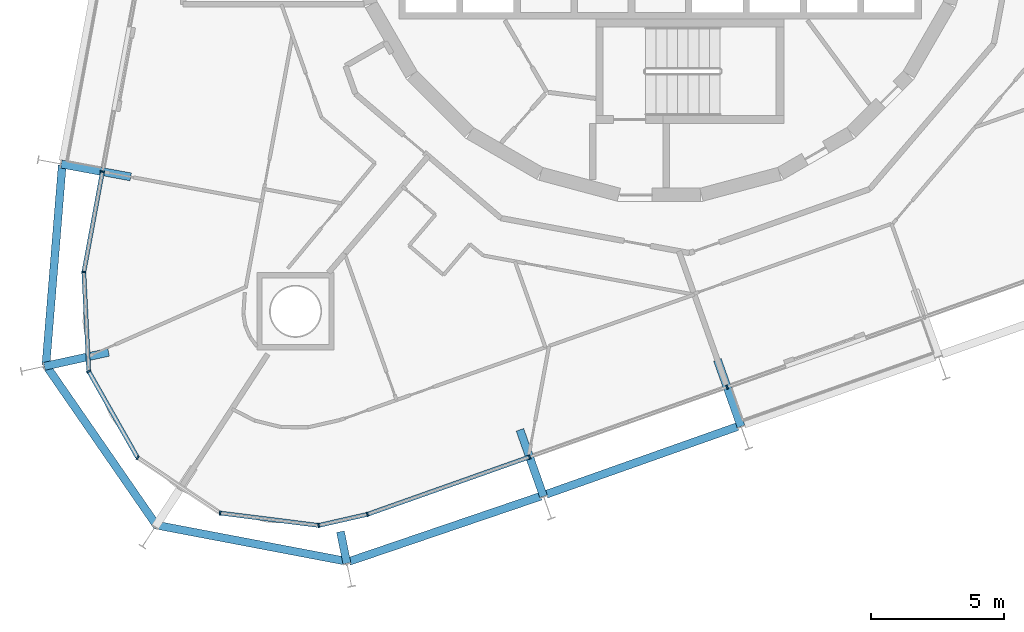
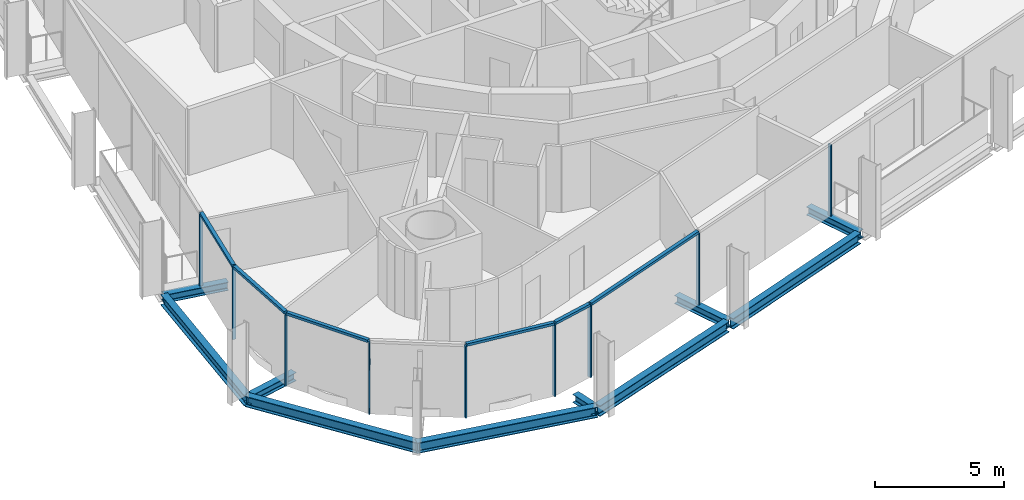
# One storey, part 2 of 17: 15 members, 10 beams, 2 elements without a shape of their own.
"""IFC4 building model written with IfcOpenShell, lengths in metres."""

from ifc_helpers import new_model, si_unit, direction, frame, origin, origin_2d, place, context, subcontext, project, spatial, rectangle, i_section, extrude, material, layer, layer_set, material_profile, profile_set, type_object, element, aggregate, save


model = new_model("IFC4")

# Units and contexts
model_context = context("Model", 3, precision=1e-05, world=origin(), true_north=direction((0.0, 1.0)))
body_context = subcontext(model_context, "Body", "Model", "MODEL_VIEW")
ifc_project = project(units=[si_unit("LENGTHUNIT", "METRE"), si_unit("AREAUNIT", "SQUARE_METRE"), si_unit("VOLUMEUNIT", "CUBIC_METRE"), si_unit("PLANEANGLEUNIT", "RADIAN"), si_unit("MASSUNIT", "GRAM", prefix="KILO")], contexts=[model_context])

# Site, building, storey
site_placement = place(None, origin())
site = spatial("IfcSite", under=ifc_project, at=site_placement, CompositionType="ELEMENT")
building_placement = place(site_placement, origin())
building = spatial("IfcBuilding", under=site, at=building_placement, Name="Spindle Arch Residences", CompositionType="ELEMENT")
storey_placement = place(building_placement, frame((0.0, 0.0, 155.199951171875)))
storey = spatial("IfcBuildingStorey", under=building, at=storey_placement, Name="L38", CompositionType="ELEMENT", Elevation=155.199951171875)

# Curtain wall, members
ifc_material_1 = material(Name="Aluminium bronze unitised frame with tinted glass", Category="aluminium")
ifc_layer_1 = layer(ifc_material_1, 0.159912109375)
ifc_layer_set_1 = layer_set([ifc_layer_1], Name="CW-D corner wall on the fillet arcs")
curtain_wall_type_1 = type_object("IfcCurtainWallType", Name="CW-D corner wall on the fillet arcs", PredefinedType="NOTDEFINED", material=ifc_layer_set_1)
curtain_wall_1_placement = place(storey_placement, origin())
curtain_wall_1 = element("IfcCurtainWall", 1, at=curtain_wall_1_placement, inside=storey, type_object=curtain_wall_type_1, Name="CW-D L38 run 5", PredefinedType="NOTDEFINED")
ifc_material_2 = material(Name="Aluminium bronze anodised mullion", Category="aluminium")
ifc_material_profile_1 = material_profile(ifc_material_2, rectangle(XDim=0.159912109375, YDim=0.06005859375, at=origin_2d()), Name="MU 60x160")
ifc_profile_set_1 = profile_set([ifc_material_profile_1], Name="Aluminium bronze anodised mullion")
member_type_1 = type_object("IfcMemberType", Name="Bronze mullion 60x160", PredefinedType="MULLION", material=ifc_profile_set_1)
member_1_placement = place(storey_placement, frame((-20.92724609375, -10.77685546875, -0.3798828125), z_axis=(0.0, 0.0, 1.0), x_axis=(0.983254907564, -0.182235525492, 0.0)))
member_1 = element("IfcMember", 2, at=member_1_placement, type_object=member_type_1, Name="CW-D mullion 00", PredefinedType="MULLION", context=body_context, shape_type="SweptSolid", body=[
    extrude(rectangle(XDim=0.159912109375, YDim=0.06005859375, at=origin_2d()), origin(), (0.0, 0.0, 1.0), 3.3798828125),
])
member_2_placement = place(storey_placement, frame((-21.6259765625, -14.546142578125, -0.3798828125), z_axis=(0.0, 0.0, 1.0), x_axis=(0.99877754864, 0.049430843939, 0.0)))
member_2 = element("IfcMember", 3, at=member_2_placement, type_object=member_type_1, Name="CW-D mullion 01", PredefinedType="MULLION", context=body_context, shape_type="SweptSolid", body=[
    extrude(rectangle(XDim=0.159912109375, YDim=0.06005859375, at=origin_2d()), origin(), (0.0, 0.0, 1.0), 3.3798828125),
])
member_3_placement = place(storey_placement, frame((-21.441650390625, -18.268310546875, -0.3798828125), z_axis=(0.0, 0.0, 1.0), x_axis=(0.870355694762, 0.492423562185, 0.0)))
member_3 = element("IfcMember", 4, at=member_3_placement, type_object=member_type_1, Name="CW-D mullion 02", PredefinedType="MULLION", context=body_context, shape_type="SweptSolid", body=[
    extrude(rectangle(XDim=0.159912109375, YDim=0.06005859375, at=origin_2d()), origin(), (0.0, 0.0, 1.0), 3.3798828125),
])
member_4_placement = place(storey_placement, frame((-19.6064453125, -21.511962890625, -0.3798828125), z_axis=(0.0, 0.0, 1.0), x_axis=(0.556778968928, 0.830660688705, 0.0)))
member_4 = element("IfcMember", 5, at=member_4_placement, type_object=member_type_1, Name="CW-D mullion 03", PredefinedType="MULLION", context=body_context, shape_type="SweptSolid", body=[
    extrude(rectangle(XDim=0.159912109375, YDim=0.06005859375, at=origin_2d()), origin(), (0.0, 0.0, 1.0), 3.3798828125),
])
member_5_placement = place(storey_placement, frame((-16.510986328125, -23.5869140625, -0.3798828125), z_axis=(0.0, 0.0, 1.0), x_axis=(0.12475602349, 0.992187449327, 0.0)))
member_5 = element("IfcMember", 6, at=member_5_placement, type_object=member_type_1, Name="CW-D mullion 04", PredefinedType="MULLION", context=body_context, shape_type="SweptSolid", body=[
    extrude(rectangle(XDim=0.159912109375, YDim=0.06005859375, at=origin_2d()), origin(), (0.0, 0.0, 1.0), 3.3798828125),
])
member_6_placement = place(storey_placement, frame((-12.813232421875, -24.0517578125, -0.3798828125), z_axis=(0.0, 0.0, 1.0), x_axis=(-0.222115779565, 0.975020297465, 0.0)))
member_6 = element("IfcMember", 7, at=member_6_placement, type_object=member_type_1, Name="CW-D mullion 05", PredefinedType="MULLION", context=body_context, shape_type="SweptSolid", body=[
    extrude(rectangle(XDim=0.159912109375, YDim=0.06005859375, at=origin_2d()), origin(), (0.0, 0.0, 1.0), 3.3798828125),
])
member_7_placement = place(storey_placement, frame((-10.984130859375, -23.63525390625, -0.3798828125), z_axis=(0.0, 0.0, 1.0), x_axis=(-0.333806859234, 0.942641491092, 0.0)))
member_7 = element("IfcMember", 8, at=member_7_placement, type_object=member_type_1, Name="CW-D mullion 06", PredefinedType="MULLION", context=body_context, shape_type="SweptSolid", body=[
    extrude(rectangle(XDim=0.159912109375, YDim=0.06005859375, at=origin_2d()), origin(), (0.0, 0.0, 1.0), 3.3798828125),
])

ifc_material_3 = material(Name="Aluminium bronze unitised frame with tinted glass", Category="aluminium")
ifc_layer_2 = layer(ifc_material_3, 0.159912109375)
ifc_layer_set_2 = layer_set([ifc_layer_2], Name="CW-C typical residential unitised wall")
curtain_wall_type_2 = type_object("IfcCurtainWallType", Name="CW-C typical residential unitised wall", PredefinedType="NOTDEFINED", material=ifc_layer_set_2)
curtain_wall_2_placement = place(storey_placement, origin())
curtain_wall_2 = element("IfcCurtainWall", 9, at=curtain_wall_2_placement, inside=storey, type_object=curtain_wall_type_2, Name="CW-C L38 run 6", PredefinedType="NOTDEFINED")
member_8_placement = place(storey_placement, frame((-4.900634765625, -21.48095703125, -0.3798828125), z_axis=(0.0, 0.0, 1.0), x_axis=(-0.333806859234, 0.942641491092, 0.0)))
member_8 = element("IfcMember", 10, at=member_8_placement, type_object=member_type_1, Name="CW-C mullion 20", PredefinedType="MULLION", context=body_context, shape_type="SweptSolid", body=[
    extrude(rectangle(XDim=0.159912109375, YDim=0.06005859375, at=origin_2d()), origin(), (0.0, 0.0, 1.0), 3.3798828125),
])
member_9_placement = place(storey_placement, frame((2.508544921875, -18.857177734375, -0.3798828125), z_axis=(0.0, 0.0, 1.0), x_axis=(-0.333806859234, 0.942641491092, 0.0)))
member_9 = element("IfcMember", 11, at=member_9_placement, type_object=member_type_1, Name="CW-C mullion 21", PredefinedType="MULLION", context=body_context, shape_type="SweptSolid", body=[
    extrude(rectangle(XDim=0.159912109375, YDim=0.06005859375, at=origin_2d()), origin(), (0.0, 0.0, 1.0), 3.3798828125),
])
aggregate(curtain_wall_2, [member_8, member_9])

# Member
ifc_material_4 = material(Name="Aluminium bronze anodised transom", Category="aluminium")
ifc_material_profile_2 = material_profile(ifc_material_4, rectangle(XDim=0.159912109375, YDim=0.1201171875, at=origin_2d()), Name="TR 120x160")
ifc_profile_set_2 = profile_set([ifc_material_profile_2], Name="Aluminium bronze anodised transom")
member_type_2 = type_object("IfcMemberType", Name="Bronze transom 120x160", PredefinedType="USERDEFINED", material=ifc_profile_set_2)
member_10_placement = place(storey_placement, frame((-20.932861328125, -10.806396484375, 3.06005859375), z_axis=(-0.182198152475, -0.983261833509, 0.0), x_axis=(0.983261833509, -0.182198152475, 0.0)))
member_10 = element("IfcMember", 12, at=member_10_placement, type_object=member_type_2, Name="CW-D transom 00", ObjectType="TRANSOM", PredefinedType="USERDEFINED", context=body_context, shape_type="SweptSolid", body=[
    extrude(rectangle(XDim=0.159912109375, YDim=0.1201171875, at=origin_2d()), origin(), (0.0, 0.0, 1.0), 3.7734375),
])

member_11_placement = place(storey_placement, frame((-21.62451171875, -14.576171875, 3.06005859375), z_axis=(0.049472678643, -0.998775477306, 0.0), x_axis=(0.998775477306, 0.049472678643, 0.0)))
member_11 = element("IfcMember", 13, at=member_11_placement, type_object=member_type_2, Name="CW-D transom 01", ObjectType="TRANSOM", PredefinedType="USERDEFINED", context=body_context, shape_type="SweptSolid", body=[
    extrude(rectangle(XDim=0.159912109375, YDim=0.1201171875, at=origin_2d()), origin(), (0.0, 0.0, 1.0), 3.66650390625),
])

member_12_placement = place(storey_placement, frame((-21.427001953125, -18.29443359375, 3.06005859375), z_axis=(0.49243456751, -0.870349468157, 0.0), x_axis=(0.870349468157, 0.49243456751, 0.0)))
member_12 = element("IfcMember", 14, at=member_12_placement, type_object=member_type_2, Name="CW-D transom 02", ObjectType="TRANSOM", PredefinedType="USERDEFINED", context=body_context, shape_type="SweptSolid", body=[
    extrude(rectangle(XDim=0.159912109375, YDim=0.1201171875, at=origin_2d()), origin(), (0.0, 0.0, 1.0), 3.666748046875),
])

member_13_placement = place(storey_placement, frame((-16.481201171875, -23.590576171875, 3.06005859375), z_axis=(0.992185413992, -0.12477220949, 0.0), x_axis=(0.12477220949, 0.992185413992, 0.0)))
member_13 = element("IfcMember", 15, at=member_13_placement, type_object=member_type_2, Name="CW-D transom 04", ObjectType="TRANSOM", PredefinedType="USERDEFINED", context=body_context, shape_type="SweptSolid", body=[
    extrude(rectangle(XDim=0.159912109375, YDim=0.1201171875, at=origin_2d()), origin(), (0.0, 0.0, 1.0), 3.666748046875),
])

member_14_placement = place(storey_placement, frame((-12.783935546875, -24.045166015625, 3.06005859375), z_axis=(0.975028425033, 0.222080099015, 0.0), x_axis=(-0.222080099015, 0.975028425033, 0.0)))
member_14 = element("IfcMember", 16, at=member_14_placement, type_object=member_type_2, Name="CW-D transom 05", ObjectType="TRANSOM", PredefinedType="USERDEFINED", context=body_context, shape_type="SweptSolid", body=[
    extrude(rectangle(XDim=0.159912109375, YDim=0.1201171875, at=origin_2d()), origin(), (0.0, 0.0, 1.0), 1.816162109375),
])

member_15_placement = place(storey_placement, frame((-10.955810546875, -23.625244140625, 3.06005859375), z_axis=(0.942638740525, 0.333814626495, 0.0), x_axis=(-0.333814626495, 0.942638740525, 0.0)))
member_15 = element("IfcMember", 17, at=member_15_placement, type_object=member_type_2, Name="CW-D transom 06", ObjectType="TRANSOM", PredefinedType="USERDEFINED", context=body_context, shape_type="SweptSolid", body=[
    extrude(rectangle(XDim=0.159912109375, YDim=0.1201171875, at=origin_2d()), origin(), (0.0, 0.0, 1.0), 6.3935546875),
])

aggregate(curtain_wall_1, [member_1, member_10, member_2, member_11, member_3, member_12, member_4, member_5, member_13, member_6, member_14, member_7, member_15])

# Beams
ifc_material_5 = material(Name="Steel S460ML, intumescent coating R 120", Category="steel")
ifc_material_profile_3 = material_profile(ifc_material_5, i_section(OverallWidth=0.300048828125, OverallDepth=0.5, WebThickness=0.014404296875, FlangeThickness=0.028076171875, FilletRadius=0.027099609375, at=origin_2d()), Name="HEB 500")
ifc_profile_set_3 = profile_set([ifc_material_profile_3], Name="Steel S460ML, intumescent coating R 120")
beam_type_1 = type_object("IfcBeamType", Name="Exoskeleton edge beam HEB 500", PredefinedType="BEAM", material=ifc_profile_set_3)
beam_1_placement = place(storey_placement, frame((-22.43408203125, -10.530517578125, -0.6298828125), z_axis=(-0.081396168561, -0.996681826735, 0.0), x_axis=(0.996681826735, -0.081396168561, 0.0)))
element("IfcBeam", 18, at=beam_1_placement, inside=storey, type_object=beam_type_1, Name="Exoskeleton edge beam 17", PredefinedType="BEAM", context=body_context, shape_type="SweptSolid", body=[
    extrude(i_section(OverallWidth=0.300048828125, OverallDepth=0.5, WebThickness=0.014404296875, FlangeThickness=0.028076171875, FilletRadius=0.027099609375, at=origin_2d()), origin(), (0.0, 0.0, 1.0), 7.534423828125),
])
for number, where, z_axis, x_axis, name in (
    (19, (-23.07080078125, -18.006103515625, -0.6298828125), (0.568398589538, -0.822753330842, 0.0), (0.822753330842, 0.568398589538, 0.0), "Exoskeleton edge beam 18"),
    (20, (-18.972900390625, -24.025390625, -0.6298828125), (0.982369437961, -0.186949959509, 0.0), (0.186949959509, 0.982369437961, 0.0), "Exoskeleton edge beam 19"),
):
    element("IfcBeam", number, at=place(storey_placement, frame(where, z_axis=z_axis, x_axis=x_axis)), inside=storey, type_object=beam_type_1, Name=name, PredefinedType="BEAM", context=body_context, shape_type="SweptSolid", body=[
        extrude(i_section(OverallWidth=0.300048828125, OverallDepth=0.5, WebThickness=0.014404296875, FlangeThickness=0.028076171875, FilletRadius=0.027099609375, at=origin_2d()), origin(), (0.0, 0.0, 1.0), 7.4033203125),
    ])
beam_2_placement = place(storey_placement, frame((-11.672119140625, -25.401123046875, -0.6298828125), z_axis=(0.94672748231, 0.322035827571, 0.0), x_axis=(-0.322035827571, 0.94672748231, 0.0)))
element("IfcBeam", 21, at=beam_2_placement, inside=storey, type_object=beam_type_1, Name="Exoskeleton edge beam 20", PredefinedType="BEAM", context=body_context, shape_type="SweptSolid", body=[
    extrude(i_section(OverallWidth=0.300048828125, OverallDepth=0.5, WebThickness=0.014404296875, FlangeThickness=0.028076171875, FilletRadius=0.027099609375, at=origin_2d()), origin(), (0.0, 0.0, 1.0), 7.596435546875),
])
beam_3_placement = place(storey_placement, frame((-4.267333984375, -22.8798828125, -0.6298828125), z_axis=(0.942633964352, 0.33382811333, 0.0), x_axis=(-0.33382811333, 0.942633964352, 0.0)))
element("IfcBeam", 22, at=beam_3_placement, inside=storey, type_object=beam_type_1, Name="Exoskeleton edge beam 21", PredefinedType="BEAM", context=body_context, shape_type="SweptSolid", body=[
    extrude(i_section(OverallWidth=0.300048828125, OverallDepth=0.5, WebThickness=0.014404296875, FlangeThickness=0.028076171875, FilletRadius=0.027099609375, at=origin_2d()), origin(), (0.0, 0.0, 1.0), 7.60009765625),
])
ifc_material_6 = material(Name="Steel S460ML, intumescent coating R 120", Category="steel")
ifc_material_profile_4 = material_profile(ifc_material_6, i_section(OverallWidth=0.300048828125, OverallDepth=0.389892578125, WebThickness=0.010986328125, FlangeThickness=0.01904296875, FilletRadius=0.027099609375, at=origin_2d()), Name="HEA 400")
ifc_profile_set_4 = profile_set([ifc_material_profile_4], Name="Steel S460ML, intumescent coating R 120")
beam_type_2 = type_object("IfcBeamType", Name="Floor outrigger HEA 400", PredefinedType="BEAM", material=ifc_profile_set_4)
beam_4_placement = place(storey_placement, frame((-22.470947265625, -10.49072265625, -0.574951171875), z_axis=(0.983253888741, -0.182241022482, 0.0), x_axis=(0.182241022482, 0.983253888741, 0.0)))
element("IfcBeam", 23, at=beam_4_placement, inside=storey, type_object=beam_type_2, Name="Floor outrigger 17", PredefinedType="BEAM", context=body_context, shape_type="SweptSolid", body=[
    extrude(i_section(OverallWidth=0.300048828125, OverallDepth=0.389892578125, WebThickness=0.010986328125, FlangeThickness=0.01904296875, FilletRadius=0.027099609375, at=origin_2d()), origin(), (0.0, 0.0, 1.0), 2.64990234375),
])
beam_5_placement = place(storey_placement, frame((-23.108154296875, -18.081298828125, -0.574951171875), z_axis=(0.976889051541, 0.21374700227, 0.0), x_axis=(-0.21374700227, 0.976889051541, 0.0)))
element("IfcBeam", 24, at=beam_5_placement, inside=storey, type_object=beam_type_2, Name="Floor outrigger 18", PredefinedType="BEAM", context=body_context, shape_type="SweptSolid", body=[
    extrude(i_section(OverallWidth=0.300048828125, OverallDepth=0.389892578125, WebThickness=0.010986328125, FlangeThickness=0.01904296875, FilletRadius=0.027099609375, at=origin_2d()), origin(), (0.0, 0.0, 1.0), 2.469482421875),
])
beam_6_placement = place(storey_placement, frame((-11.75390625, -25.47412109375, -0.574951171875), z_axis=(-0.199668771983, 0.979863450433, 0.0), x_axis=(-0.979863450433, -0.199668771983, 0.0)))
element("IfcBeam", 25, at=beam_6_placement, inside=storey, type_object=beam_type_2, Name="Floor outrigger 20", PredefinedType="BEAM", context=body_context, shape_type="SweptSolid", body=[
    extrude(i_section(OverallWidth=0.300048828125, OverallDepth=0.389892578125, WebThickness=0.010986328125, FlangeThickness=0.01904296875, FilletRadius=0.027099609375, at=origin_2d()), origin(), (0.0, 0.0, 1.0), 1.21533203125),
])
beam_7_placement = place(storey_placement, frame((-4.376708984375, -22.9609375, -0.574951171875), z_axis=(-0.333778924893, 0.942651382695, 0.0), x_axis=(-0.942651382695, -0.333778924893, 0.0)))
element("IfcBeam", 26, at=beam_7_placement, inside=storey, type_object=beam_type_2, Name="Floor outrigger 21", PredefinedType="BEAM", context=body_context, shape_type="SweptSolid", body=[
    extrude(i_section(OverallWidth=0.300048828125, OverallDepth=0.389892578125, WebThickness=0.010986328125, FlangeThickness=0.01904296875, FilletRadius=0.027099609375, at=origin_2d()), origin(), (0.0, 0.0, 1.0), 2.64990234375),
])
beam_8_placement = place(storey_placement, frame((3.03271484375, -20.337158203125, -0.574951171875), z_axis=(-0.333860785086, 0.942622393211, 0.0), x_axis=(-0.942622393211, -0.333860785086, 0.0)))
element("IfcBeam", 27, at=beam_8_placement, inside=storey, type_object=beam_type_2, Name="Floor outrigger 22", PredefinedType="BEAM", context=body_context, shape_type="SweptSolid", body=[
    extrude(i_section(OverallWidth=0.300048828125, OverallDepth=0.389892578125, WebThickness=0.010986328125, FlangeThickness=0.01904296875, FilletRadius=0.027099609375, at=origin_2d()), origin(), (0.0, 0.0, 1.0), 2.650146484375),
])

save(model, "model.ifc")
